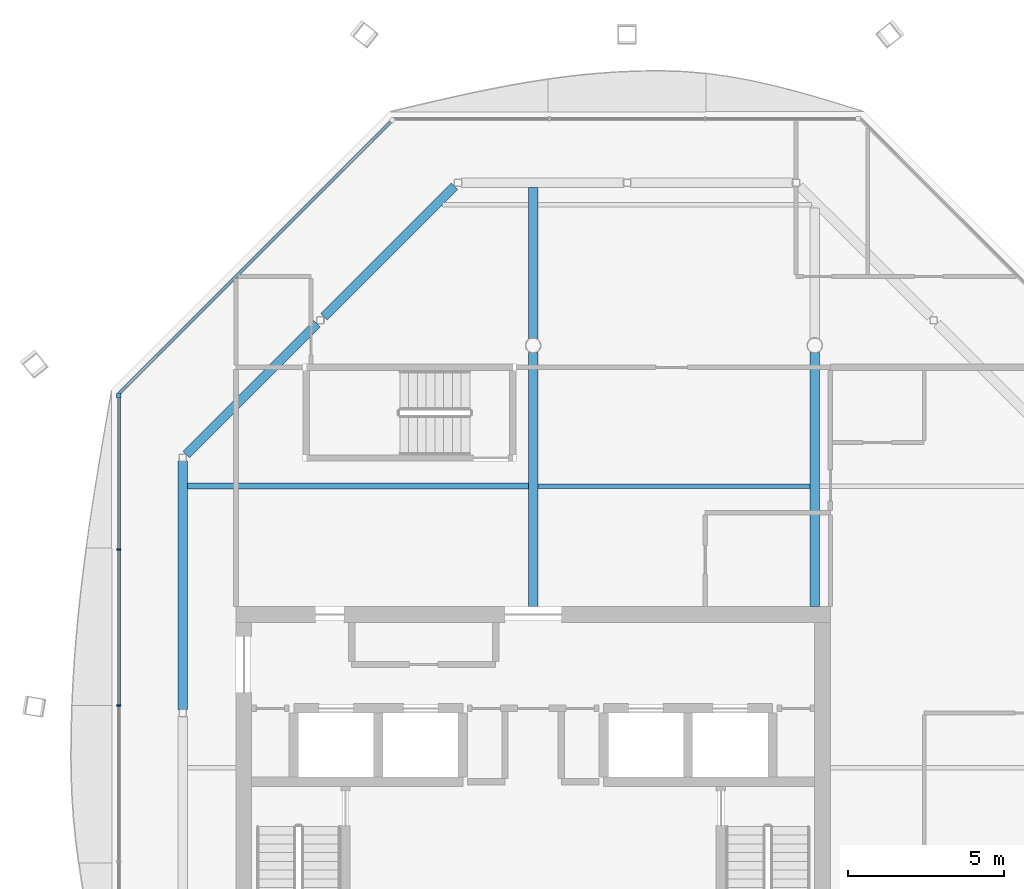
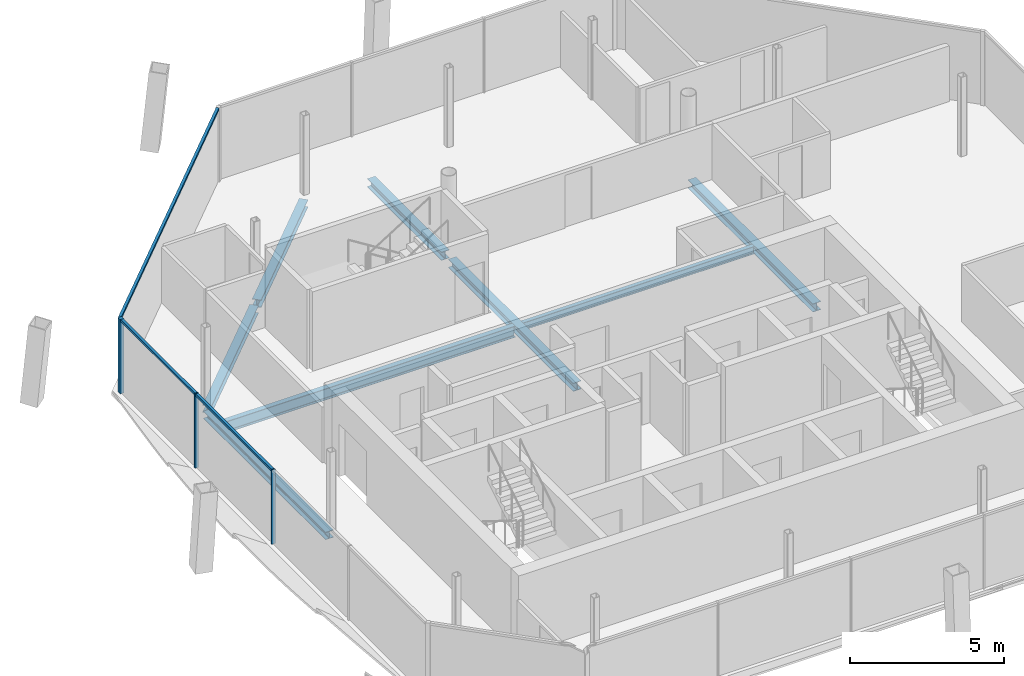
# One storey, part 5 of 14: 8 beams, 6 members, 2 elements without a shape of their own.
"""IFC4 building model written with IfcOpenShell, lengths in metres."""

from ifc_helpers import new_model, si_unit, direction, frame, origin, origin_2d, place, context, subcontext, project, spatial, rectangle, i_section, extrude, material, material_profile, profile_set, type_object, element, aggregate, save


model = new_model("IFC4")

# Units and contexts
model_context = context("Model", 3, precision=1e-05, world=origin(), true_north=direction((0.0, 1.0)))
body_context = subcontext(model_context, "Body", "Model", "MODEL_VIEW")
ifc_project = project(units=[si_unit("LENGTHUNIT", "METRE"), si_unit("AREAUNIT", "SQUARE_METRE"), si_unit("VOLUMEUNIT", "CUBIC_METRE"), si_unit("PLANEANGLEUNIT", "RADIAN"), si_unit("MASSUNIT", "GRAM", prefix="KILO")], contexts=[model_context])

# Site, building, storey
site_placement = place(None, origin())
site = spatial("IfcSite", under=ifc_project, at=site_placement, CompositionType="ELEMENT")
building_placement = place(site_placement, origin())
building = spatial("IfcBuilding", under=site, at=building_placement, Name="Tskaro Facet Tower", CompositionType="ELEMENT")
storey_placement = place(building_placement, frame((0.0, 0.0, 275.25)))
storey = spatial("IfcBuildingStorey", under=building, at=storey_placement, Name="L73", CompositionType="ELEMENT", Elevation=275.25)

# Curtain wall, members
ifc_material_1 = material(Name="Bronze anodised aluminium 6063-T6", Category="aluminium")
curtain_wall_type = type_object("IfcCurtainWallType", Name="Bronze residence curtain wall (FW3)", PredefinedType="NOTDEFINED", material=ifc_material_1)
curtain_wall_1_placement = place(storey_placement, origin())
curtain_wall_1 = element("IfcCurtainWall", 1, at=curtain_wall_1_placement, inside=storey, type_object=curtain_wall_type, Name="FW3 west facet L73", PredefinedType="NOTDEFINED")
ifc_material_profile_1 = material_profile(ifc_material_1, rectangle(XDim=0.139892578125, YDim=0.139892578125, at=origin_2d()), Name="Corner post 140x140")
ifc_profile_set_1 = profile_set([ifc_material_profile_1], Name="Bronze anodised aluminium 6063-T6")
member_type_1 = type_object("IfcMemberType", Name="FW3 bronze corner post 140x140", PredefinedType="MULLION", material=ifc_profile_set_1)
member_1_placement = place(storey_placement, frame((-13.24609375, 7.386962890625, 0.0), z_axis=(0.0, 0.0, 1.0), x_axis=(0.0, -1.0, 0.0)))
member_1 = element("IfcMember", 2, at=member_1_placement, type_object=member_type_1, Name="FW3 west corner post", PredefinedType="MULLION", context=body_context, shape_type="SweptSolid", body=[
    extrude(rectangle(XDim=0.139892578125, YDim=0.139892578125, at=origin_2d()), origin(), (0.0, 0.0, 1.0), 2.949951171875),
])
ifc_material_profile_2 = material_profile(ifc_material_1, rectangle(XDim=0.050048828125, YDim=0.139892578125, at=origin_2d()), Name="Mullion 50x140")
ifc_profile_set_2 = profile_set([ifc_material_profile_2], Name="Bronze anodised aluminium 6063-T6")
member_type_2 = type_object("IfcMemberType", Name="FW3 bronze mullion 50x140", PredefinedType="MULLION", material=ifc_profile_set_2)
member_2_placement = place(storey_placement, frame((-13.24609375, 2.472900390625, 0.0), z_axis=(0.0, 0.0, 1.0), x_axis=(0.0, -1.0, 0.0)))
member_2 = element("IfcMember", 3, at=member_2_placement, type_object=member_type_2, Name="FW3 west mullion 1", PredefinedType="MULLION", context=body_context, shape_type="SweptSolid", body=[
    extrude(rectangle(XDim=0.050048828125, YDim=0.139892578125, at=origin_2d()), origin(), (0.0, 0.0, 1.0), 2.949951171875),
])
member_3_placement = place(storey_placement, frame((-13.24609375, -2.510986328125, 0.0), z_axis=(0.0, 0.0, 1.0), x_axis=(0.0, -1.0, 0.0)))
member_3 = element("IfcMember", 4, at=member_3_placement, type_object=member_type_2, Name="FW3 west mullion 2", PredefinedType="MULLION", context=body_context, shape_type="SweptSolid", body=[
    extrude(rectangle(XDim=0.050048828125, YDim=0.139892578125, at=origin_2d()), origin(), (0.0, 0.0, 1.0), 2.949951171875),
])

# Curtain wall, member
curtain_wall_2_placement = place(storey_placement, origin())
curtain_wall_2 = element("IfcCurtainWall", 5, at=curtain_wall_2_placement, inside=storey, type_object=curtain_wall_type, Name="FW3 north-west facet L73", PredefinedType="NOTDEFINED")
ifc_material_profile_3 = material_profile(ifc_material_1, rectangle(XDim=0.10009765625, YDim=0.090087890625, at=origin_2d()), Name="Transom 100x90")
ifc_profile_set_3 = profile_set([ifc_material_profile_3], Name="Bronze anodised aluminium 6063-T6")
member_type_3 = type_object("IfcMemberType", Name="FW3 bronze transom 100x90", PredefinedType="USERDEFINED", material=ifc_profile_set_3)
member_4_placement = place(storey_placement, frame((-4.555908203125, 16.14697265625, 2.905029296875), z_axis=(-0.707116713926, -0.707096848307, 0.0), x_axis=(0.707096848307, -0.707116713926, 0.0)))
member_4 = element("IfcMember", 6, at=member_4_placement, type_object=member_type_3, Name="FW3 north-west transom 1.1", ObjectType="TRANSOM", PredefinedType="USERDEFINED", context=body_context, shape_type="SweptSolid", body=[
    extrude(rectangle(XDim=0.10009765625, YDim=0.090087890625, at=origin_2d()), origin(), (0.0, 0.0, 1.0), 12.28955078125),
])
aggregate(curtain_wall_2, [member_4])

# Member
member_5_placement = place(storey_placement, frame((-13.24609375, 7.31689453125, 2.905029296875), z_axis=(0.0, -1.0, 0.0), x_axis=(1.0, 0.0, 0.0)))
member_5 = element("IfcMember", 7, at=member_5_placement, type_object=member_type_3, Name="FW3 west transom 1.1", ObjectType="TRANSOM", PredefinedType="USERDEFINED", context=body_context, shape_type="SweptSolid", body=[
    extrude(rectangle(XDim=0.10009765625, YDim=0.090087890625, at=origin_2d()), origin(), (0.0, 0.0, 1.0), 4.81884765625),
])

member_6_placement = place(storey_placement, frame((-13.24609375, 2.447998046875, 2.905029296875), z_axis=(0.0, -1.0, 0.0), x_axis=(1.0, 0.0, 0.0)))
member_6 = element("IfcMember", 8, at=member_6_placement, type_object=member_type_3, Name="FW3 west transom 2.1", ObjectType="TRANSOM", PredefinedType="USERDEFINED", context=body_context, shape_type="SweptSolid", body=[
    extrude(rectangle(XDim=0.10009765625, YDim=0.090087890625, at=origin_2d()), origin(), (0.0, 0.0, 1.0), 4.93408203125),
])

aggregate(curtain_wall_1, [member_1, member_2, member_3, member_5, member_6])

# Beams
ifc_material_2 = material(Name="Steel S355J2", Category="steel")
ifc_material_profile_4 = material_profile(ifc_material_2, i_section(OverallWidth=0.300048828125, OverallDepth=0.300048828125, WebThickness=0.010986328125, FlangeThickness=0.01904296875, FilletRadius=0.027099609375, at=origin_2d()), Name="HE 300 B")
ifc_profile_set_4 = profile_set([ifc_material_profile_4], Name="Steel S355J2")
beam_type_1 = type_object("IfcBeamType", Name="HE 300 B ring beam", PredefinedType="BEAM", material=ifc_profile_set_4)
for number, where, z_axis, x_axis, name in (
    (9, (-2.513916015625, 14.089111328125, -0.2900390625), (-0.707024112481, -0.707189440228, 0.0), (0.707189440228, -0.707024112481, 0.0), "HE 300 B EB11-6"),
    (10, (-6.911865234375, 9.690185546875, -0.2900390625), (-0.707189440228, -0.707024112481, 0.0), (0.707024112481, -0.707189440228, 0.0), "HE 300 B EB12-6"),
):
    element("IfcBeam", number, at=place(storey_placement, frame(where, z_axis=z_axis, x_axis=x_axis)), inside=storey, type_object=beam_type_1, Name=name, PredefinedType="BEAM", context=body_context, shape_type="SweptSolid", body=[
        extrude(i_section(OverallWidth=0.300048828125, OverallDepth=0.300048828125, WebThickness=0.010986328125, FlangeThickness=0.01904296875, FilletRadius=0.027099609375, at=origin_2d()), origin(), (0.0, 0.0, 1.0), 5.90673828125),
    ])
beam_1_placement = place(storey_placement, frame((-11.199951171875, 5.298095703125, -0.2900390625), z_axis=(0.0, -1.0, 0.0), x_axis=(1.0, 0.0, 0.0)))
element("IfcBeam", 11, at=beam_1_placement, inside=storey, type_object=beam_type_1, Name="HE 300 B EB13-6", PredefinedType="BEAM", context=body_context, shape_type="SweptSolid", body=[
    extrude(i_section(OverallWidth=0.300048828125, OverallDepth=0.300048828125, WebThickness=0.010986328125, FlangeThickness=0.01904296875, FilletRadius=0.027099609375, at=origin_2d()), origin(), (0.0, 0.0, 1.0), 7.943115234375),
])
ifc_material_profile_5 = material_profile(ifc_material_2, i_section(OverallWidth=0.300048828125, OverallDepth=0.330078125, WebThickness=0.009521484375, FlangeThickness=0.0166015625, FilletRadius=0.027099609375, at=origin_2d()), Name="HE 340 A")
ifc_profile_set_5 = profile_set([ifc_material_profile_5], Name="Steel S355J2")
beam_type_2 = type_object("IfcBeamType", Name="HE 340 A girder", PredefinedType="BEAM", material=ifc_profile_set_5)
beam_2_placement = place(storey_placement, frame((0.0, 0.64990234375, -0.304931640625), z_axis=(0.0, 1.0, 0.0), x_axis=(-1.0, 0.0, 0.0)))
element("IfcBeam", 12, at=beam_2_placement, inside=storey, type_object=beam_type_2, Name="HE 340 A GB4-2-6", PredefinedType="BEAM", context=body_context, shape_type="SweptSolid", body=[
    extrude(i_section(OverallWidth=0.300048828125, OverallDepth=0.330078125, WebThickness=0.009521484375, FlangeThickness=0.0166015625, FilletRadius=0.027099609375, at=origin_2d()), origin(), (0.0, 0.0, 1.0), 8.1259765625),
])
beam_3_placement = place(storey_placement, frame((0.0, 9.22412109375, -0.304931640625), z_axis=(0.0, 1.0, 0.0), x_axis=(-1.0, 0.0, 0.0)))
element("IfcBeam", 13, at=beam_3_placement, inside=storey, type_object=beam_type_2, Name="HE 340 A GB4-3-6", PredefinedType="BEAM", context=body_context, shape_type="SweptSolid", body=[
    extrude(i_section(OverallWidth=0.300048828125, OverallDepth=0.330078125, WebThickness=0.009521484375, FlangeThickness=0.0166015625, FilletRadius=0.027099609375, at=origin_2d()), origin(), (0.0, 0.0, 1.0), 4.825927734375),
])
beam_4_placement = place(storey_placement, frame((9.0, 0.64990234375, -0.304931640625), z_axis=(0.0, 1.0, 0.0), x_axis=(-1.0, 0.0, 0.0)))
element("IfcBeam", 14, at=beam_4_placement, inside=storey, type_object=beam_type_2, Name="HE 340 A GB5-2-6", PredefinedType="BEAM", context=body_context, shape_type="SweptSolid", body=[
    extrude(i_section(OverallWidth=0.300048828125, OverallDepth=0.330078125, WebThickness=0.009521484375, FlangeThickness=0.0166015625, FilletRadius=0.027099609375, at=origin_2d()), origin(), (0.0, 0.0, 1.0), 8.1259765625),
])
ifc_material_profile_6 = material_profile(ifc_material_2, i_section(OverallWidth=0.14990234375, OverallDepth=0.300048828125, WebThickness=0.007080078125, FlangeThickness=0.0107421875, FilletRadius=0.014892578125, at=origin_2d()), Name="IPE 300")
ifc_profile_set_6 = profile_set([ifc_material_profile_6], Name="Steel S355J2")
beam_type_3 = type_object("IfcBeamType", Name="IPE 300 secondary beam", PredefinedType="BEAM", material=ifc_profile_set_6)
beam_5_placement = place(storey_placement, frame((0.14990234375, 4.5, -0.2900390625), z_axis=(1.0, 0.0, 0.0), x_axis=(0.0, 1.0, 0.0)))
element("IfcBeam", 15, at=beam_5_placement, inside=storey, type_object=beam_type_3, Name="IPE 300 SB4a-2-6", PredefinedType="BEAM", context=body_context, shape_type="SweptSolid", body=[
    extrude(i_section(OverallWidth=0.14990234375, OverallDepth=0.300048828125, WebThickness=0.007080078125, FlangeThickness=0.0107421875, FilletRadius=0.014892578125, at=origin_2d()), origin(), (0.0, 0.0, 1.0), 8.7001953125),
])
ifc_material_profile_7 = material_profile(ifc_material_2, i_section(OverallWidth=0.18994140625, OverallDepth=0.449951171875, WebThickness=0.009521484375, FlangeThickness=0.0146484375, FilletRadius=0.02099609375, at=origin_2d()), Name="IPE 450")
ifc_profile_set_7 = profile_set([ifc_material_profile_7], Name="Steel S355J2")
beam_type_4 = type_object("IfcBeamType", Name="IPE 450 long secondary beam", PredefinedType="BEAM", material=ifc_profile_set_7)
beam_6_placement = place(storey_placement, frame((-11.050048828125, 4.5, -0.364990234375), z_axis=(1.0, 0.0, 0.0), x_axis=(0.0, 1.0, 0.0)))
element("IfcBeam", 16, at=beam_6_placement, inside=storey, type_object=beam_type_4, Name="IPE 450 LSB4a-1-6", PredefinedType="BEAM", context=body_context, shape_type="SweptSolid", body=[
    extrude(i_section(OverallWidth=0.18994140625, OverallDepth=0.449951171875, WebThickness=0.009521484375, FlangeThickness=0.0146484375, FilletRadius=0.02099609375, at=origin_2d()), origin(), (0.0, 0.0, 1.0), 10.900146484375),
])

save(model, "model.ifc")
